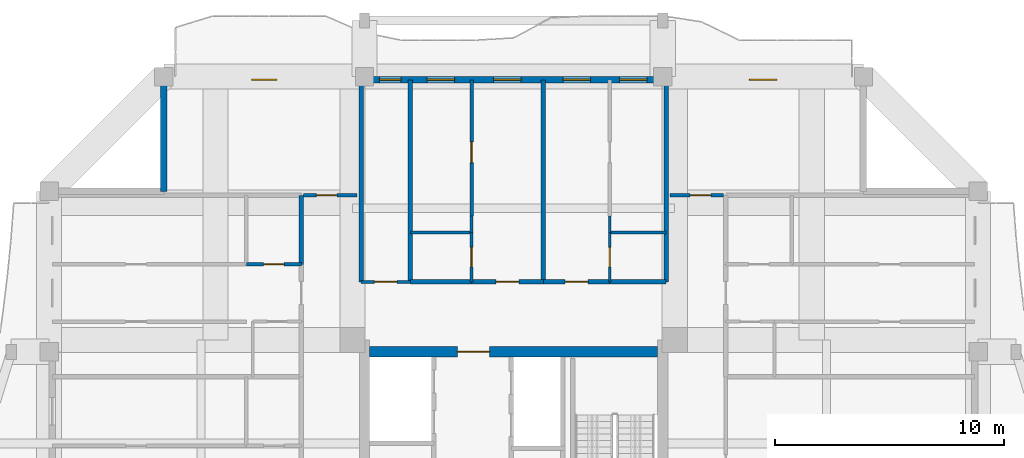
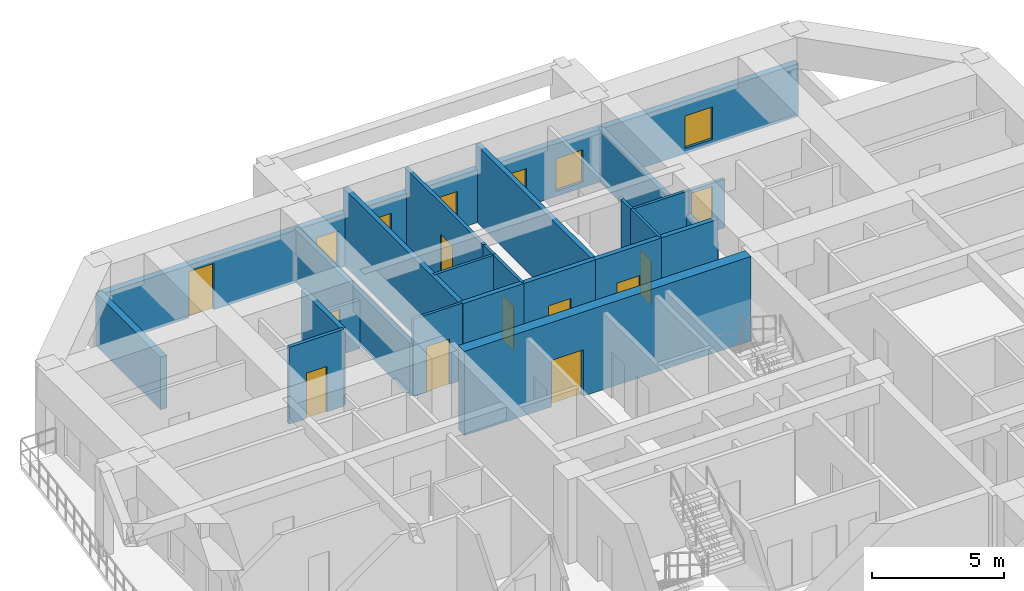
# One storey, part 6 of 13: 23 walls, 11 doors, 6 windows, 17 openings.
"""IFC4 building model written with IfcOpenShell, lengths in metres."""

from ifc_helpers import new_model, si_unit, direction, frame, frame_2d, origin, place, context, subcontext, project, spatial, rectangle, extrude, source, transform, mapped, material, layer, layer_set, type_object, element, fill, save


model = new_model("IFC4")

# Units and contexts
model_context = context("Model", 3, precision=1e-05, world=origin(), true_north=direction((0.0, 1.0)))
body_context = subcontext(model_context, "Body", "Model", "MODEL_VIEW")
ifc_project = project(units=[si_unit("LENGTHUNIT", "METRE"), si_unit("AREAUNIT", "SQUARE_METRE"), si_unit("VOLUMEUNIT", "CUBIC_METRE"), si_unit("PLANEANGLEUNIT", "RADIAN"), si_unit("MASSUNIT", "GRAM", prefix="KILO")], contexts=[model_context])

# Site, building, storey
site_placement = place(None, origin())
site = spatial("IfcSite", under=ifc_project, at=site_placement, CompositionType="ELEMENT")
building_placement = place(site_placement, origin())
building = spatial("IfcBuilding", under=site, at=building_placement, Name="Saelheon Loggia Tower", CompositionType="ELEMENT")
storey_placement = place(building_placement, frame((0.0, 0.0, 192.699951171875)))
storey = spatial("IfcBuildingStorey", under=building, at=storey_placement, Name="L60", CompositionType="ELEMENT", Elevation=192.699951171875)

# Wall, opening, door
ifc_material_1 = material(Name="Concrete C45/55", Category="concrete")
ifc_layer_1 = layer(ifc_material_1, 0.449951171875)
ifc_layer_set_1 = layer_set([ifc_layer_1], Name="Concrete C45/55")
wall_type_1 = type_object("IfcWallType", Name="Wall_CoreShear_450", PredefinedType="SHEAR", material=ifc_layer_set_1)
wall_1_placement = place(storey_placement, frame((31.72509765625, 36.0, 0.0), z_axis=(0.0, 0.0, 1.0), x_axis=(1.0, 0.0, 0.0)))
wall_1 = element("IfcWall", 1, at=wall_1_placement, inside=storey, type_object=wall_type_1, Name="L60 Core Shear Wall North", PredefinedType="SHEAR", context=body_context, shape_type="SweptSolid", body=[
    extrude(rectangle(XDim=12.5498046875, YDim=0.449951171875, at=frame_2d((6.27490234375, 0.0))), origin(), (0.0, 0.0, 1.0), 3.900146484375),
])
opening_1_placement = place(wall_1_placement, frame((5.224853515625, 0.0, 0.0), z_axis=(0.0, 0.0, 1.0), x_axis=(-1.0, 0.0, 0.0)))
opening_1 = element("IfcOpeningElement", 2, at=opening_1_placement, cuts=wall_1, Name="Opening D-FD2L", PredefinedType="OPENING", context=body_context, shape_type="SweptSolid", body=[
    extrude(rectangle(XDim=1.39990234375, YDim=2.14990234375, at=frame_2d((0.699951171875, 1.074951171875))), frame((0.0, 0.237060546875, 0.0), z_axis=(0.0, -1.0, 0.0), x_axis=(1.0, 0.0, 0.0)), (0.0, 0.0, 1.0), 0.473876953125),
])
ifc_material_2 = material(Name="Galvanised Steel Glazed Lobby Fire Door", Category="steel")
door_type_1 = type_object("IfcDoorType", Name="Door_Fire_FD60_1400", OperationType="NOTDEFINED", PredefinedType="DOOR", material=ifc_material_2)
shared_shape_1 = source(origin(), body_context, "Body", "SweptSolid", [
    extrude(rectangle(XDim=1.39990234375, YDim=2.14990234375, at=frame_2d((0.699951171875, 1.074951171875))), frame((0.0, 0.02490234375, 0.0), z_axis=(0.0, -1.0, 0.0), x_axis=(1.0, 0.0, 0.0)), (0.0, 0.0, 1.0), 0.050048828125),
])
door_1_placement = place(opening_1_placement, origin())
door_1 = element("IfcDoor", 3, at=door_1_placement, inside=storey, type_object=door_type_1, Name="L60 Passenger Lift Lobby Main Door", OperationType="SINGLE_SWING_RIGHT", OverallHeight=2.14990234375, OverallWidth=1.39990234375, PredefinedType="DOOR", context=body_context, shape_type="MappedRepresentation", body=[
    mapped(shared_shape_1, transform((0.0, 0.0, 0.0), scale=1.0)),
])
fill(opening_1, door_1)

# Wall, openings, windows, door
ifc_material_3 = material(Name="Architectural Precast Concrete C40/50", Category="concrete")
ifc_layer_2 = layer(ifc_material_3, 0.280029296875)
ifc_layer_set_2 = layer_set([ifc_layer_2], Name="Architectural Precast Concrete C40/50")
wall_type_2 = type_object("IfcWallType", Name="Wall_Ext_Loggia_280", PredefinedType="SOLIDWALL", material=ifc_layer_set_2)
wall_2_placement = place(storey_placement, frame((22.75, 47.860107421875, 0.0), z_axis=(0.0, 0.0, 1.0), x_axis=(1.0, 0.0, 0.0)))
wall_2 = element("IfcWall", 4, at=wall_2_placement, inside=storey, type_object=wall_type_2, Name="L60 North Loggia Inner Wall", PredefinedType="SOLIDWALL", context=body_context, shape_type="SweptSolid", body=[
    extrude(rectangle(XDim=30.5, YDim=0.280029296875, at=frame_2d((15.25, 0.0))), origin(), (0.0, 0.0, 1.0), 2.43994140625),
])
opening_2_placement = place(wall_2_placement, frame((3.824951171875, 0.0, 0.0)))
opening_2 = element("IfcOpeningElement", 5, at=opening_2_placement, cuts=wall_2, Name="Opening TD1", PredefinedType="OPENING", context=body_context, shape_type="SweptSolid", body=[
    extrude(rectangle(XDim=1.10009765625, YDim=2.14990234375, at=frame_2d((0.550048828125, 1.074951171875))), frame((0.0, 0.152099609375, 0.0), z_axis=(0.0, -1.0, 0.0), x_axis=(1.0, 0.0, 0.0)), (0.0, 0.0, 1.0), 0.303955078125),
])
opening_3_placement = place(wall_2_placement, frame((9.39501953125, 0.0, 0.25)))
opening_3 = element("IfcOpeningElement", 6, at=opening_3_placement, cuts=wall_2, Name="Opening WN-04", PredefinedType="OPENING", context=body_context, shape_type="SweptSolid", body=[
    extrude(rectangle(XDim=0.949951171875, YDim=1.5, at=frame_2d((0.47509765625, 0.75))), frame((0.0, 0.152099609375, 0.0), z_axis=(0.0, -1.0, 0.0), x_axis=(1.0, 0.0, 0.0)), (0.0, 0.0, 1.0), 0.303955078125),
])
opening_4_placement = place(wall_2_placement, frame((11.4833984375, 0.0, 0.25)))
opening_4 = element("IfcOpeningElement", 7, at=opening_4_placement, cuts=wall_2, Name="Opening WN-03", PredefinedType="OPENING", context=body_context, shape_type="SweptSolid", body=[
    extrude(rectangle(XDim=1.199951171875, YDim=1.5, at=frame_2d((0.60009765625, 0.75))), frame((0.0, 0.152099609375, 0.0), z_axis=(0.0, -1.0, 0.0), x_axis=(1.0, 0.0, 0.0)), (0.0, 0.0, 1.0), 0.303955078125),
])
opening_5_placement = place(wall_2_placement, frame((14.382568359375, 0.0, 0.25)))
opening_5 = element("IfcOpeningElement", 8, at=opening_5_placement, cuts=wall_2, Name="Opening WN-03", PredefinedType="OPENING", context=body_context, shape_type="SweptSolid", body=[
    extrude(rectangle(XDim=1.199951171875, YDim=1.5, at=frame_2d((0.60009765625, 0.75))), frame((0.0, 0.152099609375, 0.0), z_axis=(0.0, -1.0, 0.0), x_axis=(1.0, 0.0, 0.0)), (0.0, 0.0, 1.0), 0.303955078125),
])
opening_6_placement = place(wall_2_placement, frame((17.39306640625, 0.0, 0.25)))
opening_6 = element("IfcOpeningElement", 9, at=opening_6_placement, cuts=wall_2, Name="Opening WN-03", PredefinedType="OPENING", context=body_context, shape_type="SweptSolid", body=[
    extrude(rectangle(XDim=1.199951171875, YDim=1.5, at=frame_2d((0.60009765625, 0.75))), frame((0.0, 0.152099609375, 0.0), z_axis=(0.0, -1.0, 0.0), x_axis=(1.0, 0.0, 0.0)), (0.0, 0.0, 1.0), 0.303955078125),
])
opening_7_placement = place(wall_2_placement, frame((19.8740234375, 0.0, 0.25)))
opening_7 = element("IfcOpeningElement", 10, at=opening_7_placement, cuts=wall_2, Name="Opening WN-03", PredefinedType="OPENING", context=body_context, shape_type="SweptSolid", body=[
    extrude(rectangle(XDim=1.199951171875, YDim=1.5, at=frame_2d((0.60009765625, 0.75))), frame((0.0, 0.152099609375, 0.0), z_axis=(0.0, -1.0, 0.0), x_axis=(1.0, 0.0, 0.0)), (0.0, 0.0, 1.0), 0.303955078125),
])
opening_8_placement = place(wall_2_placement, frame((25.52490234375, 0.0, 0.25)))
opening_8 = element("IfcOpeningElement", 11, at=opening_8_placement, cuts=wall_2, Name="Opening WN-03", PredefinedType="OPENING", context=body_context, shape_type="SweptSolid", body=[
    extrude(rectangle(XDim=1.199951171875, YDim=1.5, at=frame_2d((0.60009765625, 0.75))), frame((0.0, 0.152099609375, 0.0), z_axis=(0.0, -1.0, 0.0), x_axis=(1.0, 0.0, 0.0)), (0.0, 0.0, 1.0), 0.303955078125),
])
ifc_material_4 = material(Name="Thermal-Break Aluminium and Triple Low-E Glass", Category="aluminium")
window_type_1 = type_object("IfcWindowType", Name="Win_Bedroom_1200x1500", PartitioningType="SINGLE_PANEL", PredefinedType="WINDOW", material=ifc_material_4)
shared_shape_2 = source(origin(), body_context, "Body", "SweptSolid", [
    extrude(rectangle(XDim=1.199951171875, YDim=1.5, at=frame_2d((0.60009765625, 0.75))), frame((0.0, 0.030029296875, 0.0), z_axis=(0.0, -1.0, 0.0), x_axis=(1.0, 0.0, 0.0)), (0.0, 0.0, 1.0), 0.06005859375),
])
window_1_placement = place(opening_4_placement, origin())
window_1 = element("IfcWindow", 12, at=window_1_placement, inside=storey, type_object=window_type_1, Name="L60 N Dwelling Window 3", OverallHeight=1.5, OverallWidth=1.199951171875, PartitioningType="SINGLE_PANEL", PredefinedType="WINDOW", context=body_context, shape_type="MappedRepresentation", body=[
    mapped(shared_shape_2, transform((0.0, 0.0, 0.0), scale=1.0)),
])
fill(opening_4, window_1)
window_2_placement = place(opening_5_placement, origin())
window_2 = element("IfcWindow", 13, at=window_2_placement, inside=storey, type_object=window_type_1, Name="L60 N Dwelling Window 4", OverallHeight=1.5, OverallWidth=1.199951171875, PartitioningType="SINGLE_PANEL", PredefinedType="WINDOW", context=body_context, shape_type="MappedRepresentation", body=[
    mapped(shared_shape_2, transform((0.0, 0.0, 0.0), scale=1.0)),
])
fill(opening_5, window_2)
window_3_placement = place(opening_6_placement, origin())
window_3 = element("IfcWindow", 14, at=window_3_placement, inside=storey, type_object=window_type_1, Name="L60 N Dwelling Window 5", OverallHeight=1.5, OverallWidth=1.199951171875, PartitioningType="SINGLE_PANEL", PredefinedType="WINDOW", context=body_context, shape_type="MappedRepresentation", body=[
    mapped(shared_shape_2, transform((0.0, 0.0, 0.0), scale=1.0)),
])
fill(opening_6, window_3)
window_4_placement = place(opening_7_placement, origin())
window_4 = element("IfcWindow", 15, at=window_4_placement, inside=storey, type_object=window_type_1, Name="L60 N Dwelling Window 6", OverallHeight=1.5, OverallWidth=1.199951171875, PartitioningType="SINGLE_PANEL", PredefinedType="WINDOW", context=body_context, shape_type="MappedRepresentation", body=[
    mapped(shared_shape_2, transform((0.0, 0.0, 0.0), scale=1.0)),
])
fill(opening_7, window_4)
window_5_placement = place(opening_8_placement, origin())
window_5 = element("IfcWindow", 16, at=window_5_placement, inside=storey, type_object=window_type_1, Name="L60 N Dwelling Window 7", OverallHeight=1.5, OverallWidth=1.199951171875, PartitioningType="SINGLE_PANEL", PredefinedType="WINDOW", context=body_context, shape_type="MappedRepresentation", body=[
    mapped(shared_shape_2, transform((0.0, 0.0, 0.0), scale=1.0)),
])
fill(opening_8, window_5)
ifc_material_5 = material(Name="Thermal-Break Aluminium Glazed Door", Category="aluminium")
door_type_2 = type_object("IfcDoorType", Name="Door_Terrace_TD1", OperationType="NOTDEFINED", PredefinedType="DOOR", material=ifc_material_5)
shared_shape_3 = source(origin(), body_context, "Body", "SweptSolid", [
    extrude(rectangle(XDim=1.10009765625, YDim=2.14990234375, at=frame_2d((0.550048828125, 1.074951171875))), frame((0.0, 0.02490234375, 0.0), z_axis=(0.0, -1.0, 0.0), x_axis=(1.0, 0.0, 0.0)), (0.0, 0.0, 1.0), 0.050048828125),
])
door_2_placement = place(opening_2_placement, origin())
door_2 = element("IfcDoor", 17, at=door_2_placement, inside=storey, type_object=door_type_2, Name="L60 N Loggia Access Door", OperationType="SINGLE_SWING_LEFT", OverallHeight=2.14990234375, OverallWidth=1.10009765625, PredefinedType="DOOR", context=body_context, shape_type="MappedRepresentation", body=[
    mapped(shared_shape_3, transform((0.0, 0.0, 0.0), scale=1.0)),
])
fill(opening_2, door_2)
window_type_2 = type_object("IfcWindowType", Name="Win_Narrow_950x1500", PartitioningType="SINGLE_PANEL", PredefinedType="WINDOW", material=ifc_material_4)
shared_shape_4 = source(origin(), body_context, "Body", "SweptSolid", [
    extrude(rectangle(XDim=0.949951171875, YDim=1.5, at=frame_2d((0.47509765625, 0.75))), frame((0.0, 0.030029296875, 0.0), z_axis=(0.0, -1.0, 0.0), x_axis=(1.0, 0.0, 0.0)), (0.0, 0.0, 1.0), 0.06005859375),
])
window_6_placement = place(opening_3_placement, origin())
window_6 = element("IfcWindow", 18, at=window_6_placement, inside=storey, type_object=window_type_2, Name="L60 N Dwelling Window 2", OverallHeight=1.5, OverallWidth=0.949951171875, PartitioningType="SINGLE_PANEL", PredefinedType="WINDOW", context=body_context, shape_type="MappedRepresentation", body=[
    mapped(shared_shape_4, transform((0.0, 0.0, 0.0), scale=1.0)),
])
fill(opening_3, window_6)

# Wall
wall_3_placement = place(storey_placement, frame((22.75, 43.0, 0.0), z_axis=(0.0, 0.0, 1.0), x_axis=(0.0, 1.0, 0.0)))
element("IfcWall", 19, at=wall_3_placement, inside=storey, type_object=wall_type_2, Name="L60 Corner Notch Precast Wall NW1", PredefinedType="SOLIDWALL", context=body_context, shape_type="SweptSolid", body=[
    extrude(rectangle(XDim=4.919921875, YDim=0.280029296875, at=frame_2d((2.4599609375, 0.0))), origin(), (0.0, 0.0, 1.0), 2.43994140625),
])

# Wall, opening, door
ifc_material_6 = material(Name="Lightweight Autoclaved Aerated Concrete Block and Acoustic Gypsum", Category="concrete")
ifc_layer_3 = layer(ifc_material_6, 0.14990234375)
ifc_layer_set_3 = layer_set([ifc_layer_3], Name="Lightweight Autoclaved Aerated Concrete Block and Acoustic Gypsum")
wall_type_3 = type_object("IfcWallType", Name="Wall_Part_150", PredefinedType="PARTITIONING", material=ifc_layer_set_3)
wall_4_placement = place(storey_placement, frame((28.85009765625, 42.820068359375, 0.0), z_axis=(0.0, 0.0, 1.0), x_axis=(1.0, 0.0, 0.0)))
wall_4 = element("IfcWall", 20, at=wall_4_placement, inside=storey, type_object=wall_type_3, Name="PW-L60-CNW-H", PredefinedType="PARTITIONING", context=body_context, shape_type="SweptSolid", body=[
    extrude(rectangle(XDim=2.329833984375, YDim=0.14990234375, at=frame_2d((1.1650390625, 0.0))), origin(), (0.0, 0.0, 1.0), 2.239990234375),
])
opening_9_placement = place(wall_4_placement, frame((0.550048828125, 0.0, 0.0)))
opening_9 = element("IfcOpeningElement", 21, at=opening_9_placement, cuts=wall_4, Name="Opening D-IN2", PredefinedType="OPENING", context=body_context, shape_type="SweptSolid", body=[
    extrude(rectangle(XDim=0.89990234375, YDim=2.10009765625, at=frame_2d((0.449951171875, 1.050048828125))), frame((0.0, 0.0869140625, 0.0), z_axis=(0.0, -1.0, 0.0), x_axis=(1.0, 0.0, 0.0)), (0.0, 0.0, 1.0), 0.173828125),
])
ifc_material_7 = material(Name="Engineered Oak Flush Door", Category="timber")
door_type_3 = type_object("IfcDoorType", Name="Door_Int_900", OperationType="NOTDEFINED", PredefinedType="DOOR", material=ifc_material_7)
shared_shape_5 = source(origin(), body_context, "Body", "SweptSolid", [
    extrude(rectangle(XDim=0.89990234375, YDim=2.10009765625, at=frame_2d((0.449951171875, 1.050048828125))), frame((0.0, 0.02490234375, 0.0), z_axis=(0.0, -1.0, 0.0), x_axis=(1.0, 0.0, 0.0)), (0.0, 0.0, 1.0), 0.050048828125),
])
door_3_placement = place(opening_9_placement, origin())
door_3 = element("IfcDoor", 22, at=door_3_placement, inside=storey, type_object=door_type_3, Name="L60 Corner Home Office NW Door", OperationType="SINGLE_SWING_RIGHT", OverallHeight=2.10009765625, OverallWidth=0.89990234375, PredefinedType="DOOR", context=body_context, shape_type="MappedRepresentation", body=[
    mapped(shared_shape_5, transform((0.0, 0.0, 0.0), scale=1.0)),
])
fill(opening_9, door_3)

wall_5_placement = place(storey_placement, frame((44.820068359375, 42.820068359375, 0.0), z_axis=(0.0, 0.0, 1.0), x_axis=(1.0, 0.0, 0.0)))
wall_5 = element("IfcWall", 23, at=wall_5_placement, inside=storey, type_object=wall_type_3, Name="PW-L60-CNE-H", PredefinedType="PARTITIONING", context=body_context, shape_type="SweptSolid", body=[
    extrude(rectangle(XDim=2.329833984375, YDim=0.14990234375, at=frame_2d((1.1650390625, 0.0))), origin(), (0.0, 0.0, 1.0), 2.239990234375),
])
opening_10_placement = place(wall_5_placement, frame((0.8798828125, 0.0, 0.0)))
opening_10 = element("IfcOpeningElement", 24, at=opening_10_placement, cuts=wall_5, Name="Opening D-IN2", PredefinedType="OPENING", context=body_context, shape_type="SweptSolid", body=[
    extrude(rectangle(XDim=0.89990234375, YDim=2.10009765625, at=frame_2d((0.449951171875, 1.050048828125))), frame((0.0, 0.0869140625, 0.0), z_axis=(0.0, -1.0, 0.0), x_axis=(1.0, 0.0, 0.0)), (0.0, 0.0, 1.0), 0.173828125),
])
door_4_placement = place(opening_10_placement, origin())
door_4 = element("IfcDoor", 25, at=door_4_placement, inside=storey, type_object=door_type_3, Name="L60 Corner Reading Room NE Door", OperationType="SINGLE_SWING_RIGHT", OverallHeight=2.10009765625, OverallWidth=0.89990234375, PredefinedType="DOOR", context=body_context, shape_type="MappedRepresentation", body=[
    mapped(shared_shape_5, transform((0.0, 0.0, 0.0), scale=1.0)),
])
fill(opening_10, door_4)

wall_6_placement = place(storey_placement, frame((36.1669921875, 41.929931640625, 0.0), z_axis=(0.0, 0.0, 1.0), x_axis=(0.0, 1.0, 0.0)))
wall_6 = element("IfcWall", 26, at=wall_6_placement, inside=storey, type_object=wall_type_3, Name="L60 N Partition U10", PredefinedType="PARTITIONING", context=body_context, shape_type="SweptSolid", body=[
    extrude(rectangle(XDim=5.920166015625, YDim=0.14990234375, at=frame_2d((2.9599609375, 0.0))), origin(), (0.0, 0.0, 1.0), 3.56005859375),
])
opening_11_placement = place(wall_6_placement, frame((2.32080078125, 0.0, 0.0)))
opening_11 = element("IfcOpeningElement", 27, at=opening_11_placement, cuts=wall_6, Name="Opening D-IN2", PredefinedType="OPENING", context=body_context, shape_type="SweptSolid", body=[
    extrude(rectangle(XDim=0.89990234375, YDim=2.10009765625, at=frame_2d((0.449951171875, 1.050048828125))), frame((0.0, 0.0869140625, 0.0), z_axis=(0.0, -1.0, 0.0), x_axis=(1.0, 0.0, 0.0)), (0.0, 0.0, 1.0), 0.173828125),
])
door_5_placement = place(opening_11_placement, origin())
door_5 = element("IfcDoor", 28, at=door_5_placement, inside=storey, type_object=door_type_3, Name="Unit U02 Kitchen Door", OperationType="SINGLE_SWING_RIGHT", OverallHeight=2.10009765625, OverallWidth=0.89990234375, PredefinedType="DOOR", context=body_context, shape_type="MappedRepresentation", body=[
    mapped(shared_shape_5, transform((0.0, 0.0, 0.0), scale=1.0)),
])
fill(opening_11, door_5)

wall_7_placement = place(storey_placement, frame((28.75, 39.814208984375, 0.0), z_axis=(0.0, 0.0, 1.0), x_axis=(-1.0, 0.0, 0.0)))
wall_7 = element("IfcWall", 29, at=wall_7_placement, inside=storey, type_object=wall_type_3, Name="L60 W Partition U40", PredefinedType="PARTITIONING", context=body_context, shape_type="SweptSolid", body=[
    extrude(rectangle(XDim=2.39990234375, YDim=0.14990234375, at=frame_2d((1.199951171875, 0.0))), origin(), (0.0, 0.0, 1.0), 3.56005859375),
])
opening_12_placement = place(wall_7_placement, frame((0.75, 0.0, 0.0)))
opening_12 = element("IfcOpeningElement", 30, at=opening_12_placement, cuts=wall_7, Name="Opening D-IN2", PredefinedType="OPENING", context=body_context, shape_type="SweptSolid", body=[
    extrude(rectangle(XDim=0.89990234375, YDim=2.10009765625, at=frame_2d((0.449951171875, 1.050048828125))), frame((0.0, 0.0869140625, 0.0), z_axis=(0.0, -1.0, 0.0), x_axis=(1.0, 0.0, 0.0)), (0.0, 0.0, 1.0), 0.173828125),
])
door_6_placement = place(opening_12_placement, origin())
door_6 = element("IfcDoor", 31, at=door_6_placement, inside=storey, type_object=door_type_3, Name="Unit U07 Dressing Closet Door", OperationType="SINGLE_SWING_RIGHT", OverallHeight=2.10009765625, OverallWidth=0.89990234375, PredefinedType="DOOR", context=body_context, shape_type="MappedRepresentation", body=[
    mapped(shared_shape_5, transform((0.0, 0.0, 0.0), scale=1.0)),
])
fill(opening_12, door_6)

# Walls
ifc_material_8 = material(Name="Double Acoustic Stud and Fireboard Partition", Category="gypsum")
ifc_layer_4 = layer(ifc_material_8, 0.199951171875)
ifc_layer_set_4 = layer_set([ifc_layer_4], Name="Double Acoustic Stud and Fireboard Partition")
wall_type_4 = type_object("IfcWallType", Name="Wall_Party_200", PredefinedType="PARTITIONING", material=ifc_layer_set_4)
for number, where, z_axis, x_axis, name in (
    (32, (31.35009765625, 39.050048828125, 0.0), (0.0, 0.0, 1.0), (0.0, 1.0, 0.0), "L60 N Partition U01"),
    (33, (44.64990234375, 39.050048828125, 0.0), (0.0, 0.0, 1.0), (0.0, 1.0, 0.0), "L60 N Partition U02"),
):
    element("IfcWall", number, at=place(storey_placement, frame(where, z_axis=z_axis, x_axis=x_axis)), inside=storey, type_object=wall_type_4, Name=name, PredefinedType="PARTITIONING", context=body_context, shape_type="SweptSolid", body=[
        extrude(rectangle(XDim=8.800048828125, YDim=0.199951171875, at=frame_2d((4.39990234375, 0.0))), origin(), (0.0, 0.0, 1.0), 2.43994140625),
    ])
wall_8_placement = place(storey_placement, frame((33.5, 39.050048828125, 0.0), z_axis=(0.0, 0.0, 1.0), x_axis=(0.0, 1.0, 0.0)))
element("IfcWall", 34, at=wall_8_placement, inside=storey, type_object=wall_type_4, Name="L60 N Partition U03", PredefinedType="PARTITIONING", context=body_context, shape_type="SweptSolid", body=[
    extrude(rectangle(XDim=8.800048828125, YDim=0.199951171875, at=frame_2d((4.39990234375, 0.0))), origin(), (0.0, 0.0, 1.0), 3.56005859375),
])
wall_9_placement = place(storey_placement, frame((33.5, 39.050048828125, 0.0), z_axis=(0.0, 0.0, 1.0), x_axis=(1.0, 0.0, 0.0)))
element("IfcWall", 35, at=wall_9_placement, inside=storey, type_object=wall_type_4, Name="L60 N Partition V05", PredefinedType="PARTITIONING", context=body_context, shape_type="SweptSolid", body=[
    extrude(rectangle(XDim=2.6669921875, YDim=0.199951171875, at=frame_2d((1.33349609375, 0.0))), origin(), (0.0, 0.0, 1.0), 3.56005859375),
])

# Wall, opening, door
wall_10_placement = place(storey_placement, frame((36.1669921875, 39.050048828125, 0.0), z_axis=(0.0, 0.0, 1.0), x_axis=(1.0, 0.0, 0.0)))
wall_10 = element("IfcWall", 36, at=wall_10_placement, inside=storey, type_object=wall_type_4, Name="L60 N Partition V06", PredefinedType="PARTITIONING", context=body_context, shape_type="SweptSolid", body=[
    extrude(rectangle(XDim=3.131103515625, YDim=0.199951171875, at=frame_2d((1.5654296875, 0.0))), origin(), (0.0, 0.0, 1.0), 3.56005859375),
])
opening_13_placement = place(wall_10_placement, frame((1.0654296875, 0.0, 0.0)))
opening_13 = element("IfcOpeningElement", 37, at=opening_13_placement, cuts=wall_10, Name="Opening D-FD1", PredefinedType="OPENING", context=body_context, shape_type="SweptSolid", body=[
    extrude(rectangle(XDim=1.0, YDim=2.14990234375, at=frame_2d((0.5, 1.074951171875))), frame((0.0, 0.112060546875, 0.0), z_axis=(0.0, -1.0, 0.0), x_axis=(1.0, 0.0, 0.0)), (0.0, 0.0, 1.0), 0.223876953125),
])
ifc_material_9 = material(Name="Fire-Rated Engineered Timber Entrance Door", Category="wood")
door_type_4 = type_object("IfcDoorType", Name="Door_Flat_FD30S", OperationType="NOTDEFINED", PredefinedType="DOOR", material=ifc_material_9)
shared_shape_6 = source(origin(), body_context, "Body", "SweptSolid", [
    extrude(rectangle(XDim=1.0, YDim=2.14990234375, at=frame_2d((0.5, 1.074951171875))), frame((0.0, 0.02490234375, 0.0), z_axis=(0.0, -1.0, 0.0), x_axis=(1.0, 0.0, 0.0)), (0.0, 0.0, 1.0), 0.050048828125),
])
door_7_placement = place(opening_13_placement, origin())
door_7 = element("IfcDoor", 38, at=door_7_placement, inside=storey, type_object=door_type_4, Name="Unit U02 Entrance Door", OperationType="SINGLE_SWING_RIGHT", OverallHeight=2.14990234375, OverallWidth=1.0, PredefinedType="DOOR", context=body_context, shape_type="MappedRepresentation", body=[
    mapped(shared_shape_6, transform((0.0, 0.0, 0.0), scale=1.0)),
])
fill(opening_13, door_7)

# Wall
wall_11_placement = place(storey_placement, frame((39.298095703125, 39.050048828125, 0.0), z_axis=(0.0, 0.0, 1.0), x_axis=(0.0, 1.0, 0.0)))
element("IfcWall", 39, at=wall_11_placement, inside=storey, type_object=wall_type_4, Name="L60 N Partition U11", PredefinedType="PARTITIONING", context=body_context, shape_type="SweptSolid", body=[
    extrude(rectangle(XDim=8.800048828125, YDim=0.199951171875, at=frame_2d((4.39990234375, 0.0))), origin(), (0.0, 0.0, 1.0), 3.56005859375),
])

# Wall, opening, door
wall_12_placement = place(storey_placement, frame((39.298095703125, 39.050048828125, 0.0), z_axis=(0.0, 0.0, 1.0), x_axis=(1.0, 0.0, 0.0)))
wall_12 = element("IfcWall", 40, at=wall_12_placement, inside=storey, type_object=wall_type_4, Name="L60 N Partition V12", PredefinedType="PARTITIONING", context=body_context, shape_type="SweptSolid", body=[
    extrude(rectangle(XDim=2.889892578125, YDim=0.199951171875, at=frame_2d((1.44482421875, 0.0))), origin(), (0.0, 0.0, 1.0), 3.56005859375),
])
opening_14_placement = place(wall_12_placement, frame((0.945068359375, 0.0, 0.0)))
opening_14 = element("IfcOpeningElement", 41, at=opening_14_placement, cuts=wall_12, Name="Opening D-FD1", PredefinedType="OPENING", context=body_context, shape_type="SweptSolid", body=[
    extrude(rectangle(XDim=1.0, YDim=2.14990234375, at=frame_2d((0.5, 1.074951171875))), frame((0.0, 0.112060546875, 0.0), z_axis=(0.0, -1.0, 0.0), x_axis=(1.0, 0.0, 0.0)), (0.0, 0.0, 1.0), 0.223876953125),
])
door_8_placement = place(opening_14_placement, origin())
door_8 = element("IfcDoor", 42, at=door_8_placement, inside=storey, type_object=door_type_4, Name="Unit U03 Entrance Door", OperationType="SINGLE_SWING_LEFT", OverallHeight=2.14990234375, OverallWidth=1.0, PredefinedType="DOOR", context=body_context, shape_type="MappedRepresentation", body=[
    mapped(shared_shape_6, transform((0.0, 0.0, 0.0), scale=1.0)),
])
fill(opening_14, door_8)

# Walls
wall_13_placement = place(storey_placement, frame((42.18798828125, 39.050048828125, 0.0), z_axis=(0.0, 0.0, 1.0), x_axis=(1.0, 0.0, 0.0)))
element("IfcWall", 43, at=wall_13_placement, inside=storey, type_object=wall_type_4, Name="L60 N Partition V13", PredefinedType="PARTITIONING", context=body_context, shape_type="SweptSolid", body=[
    extrude(rectangle(XDim=2.4619140625, YDim=0.199951171875, at=frame_2d((1.23095703125, 0.0))), origin(), (0.0, 0.0, 1.0), 3.56005859375),
])
wall_14_placement = place(storey_placement, frame((28.75, 39.814208984375, 0.0), z_axis=(0.0, 0.0, 1.0), x_axis=(0.0, 1.0, 0.0)))
element("IfcWall", 44, at=wall_14_placement, inside=storey, type_object=wall_type_4, Name="L60 W Partition V35", PredefinedType="PARTITIONING", context=body_context, shape_type="SweptSolid", body=[
    extrude(rectangle(XDim=3.005859375, YDim=0.199951171875, at=frame_2d((1.5029296875, 0.0))), origin(), (0.0, 0.0, 1.0), 3.56005859375),
])

# Wall, opening, door
ifc_material_10 = material(Name="Moisture-Resistant Cement Board Partition", Category="gypsum")
ifc_layer_5 = layer(ifc_material_10, 0.1201171875)
ifc_layer_set_5 = layer_set([ifc_layer_5], Name="Moisture-Resistant Cement Board Partition")
wall_type_5 = type_object("IfcWallType", Name="Wall_WetPart_120", PredefinedType="PARTITIONING", material=ifc_layer_set_5)
wall_15_placement = place(storey_placement, frame((31.35009765625, 39.050048828125, 0.0), z_axis=(0.0, 0.0, 1.0), x_axis=(1.0, 0.0, 0.0)))
wall_15 = element("IfcWall", 45, at=wall_15_placement, inside=storey, type_object=wall_type_5, Name="L60 N Partition V04", PredefinedType="PARTITIONING", context=body_context, shape_type="SweptSolid", body=[
    extrude(rectangle(XDim=2.14990234375, YDim=0.1201171875, at=frame_2d((1.074951171875, 0.0))), origin(), (0.0, 0.0, 1.0), 3.56005859375),
])
opening_15_placement = place(wall_15_placement, frame((0.574951171875, 0.0, 0.0)))
opening_15 = element("IfcOpeningElement", 46, at=opening_15_placement, cuts=wall_15, Name="Opening D-AC1", PredefinedType="OPENING", context=body_context, shape_type="SweptSolid", body=[
    extrude(rectangle(XDim=1.0, YDim=2.10009765625, at=frame_2d((0.5, 1.050048828125))), frame((0.0, 0.072021484375, 0.0), z_axis=(0.0, -1.0, 0.0), x_axis=(1.0, 0.0, 0.0)), (0.0, 0.0, 1.0), 0.14404296875),
])
ifc_material_11 = material(Name="Accessible Laminate Flush Door", Category="timber")
door_type_5 = type_object("IfcDoorType", Name="Door_Acc_1000", OperationType="NOTDEFINED", PredefinedType="DOOR", material=ifc_material_11)
shared_shape_7 = source(origin(), body_context, "Body", "SweptSolid", [
    extrude(rectangle(XDim=1.0, YDim=2.10009765625, at=frame_2d((0.5, 1.050048828125))), frame((0.0, 0.02490234375, 0.0), z_axis=(0.0, -1.0, 0.0), x_axis=(1.0, 0.0, 0.0)), (0.0, 0.0, 1.0), 0.050048828125),
])
door_9_placement = place(opening_15_placement, origin())
door_9 = element("IfcDoor", 47, at=door_9_placement, inside=storey, type_object=door_type_5, Name="L60 Floor Accessible WC Door", OperationType="SINGLE_SWING_LEFT", OverallHeight=2.10009765625, OverallWidth=1.0, PredefinedType="DOOR", context=body_context, shape_type="MappedRepresentation", body=[
    mapped(shared_shape_7, transform((0.0, 0.0, 0.0), scale=1.0)),
])
fill(opening_15, door_9)

wall_16_placement = place(storey_placement, frame((36.1669921875, 39.050048828125, 0.0), z_axis=(0.0, 0.0, 1.0), x_axis=(0.0, 1.0, 0.0)))
wall_16 = element("IfcWall", 48, at=wall_16_placement, inside=storey, type_object=wall_type_5, Name="L60 N Partition U07", PredefinedType="PARTITIONING", context=body_context, shape_type="SweptSolid", body=[
    extrude(rectangle(XDim=2.14990234375, YDim=0.1201171875, at=frame_2d((1.074951171875, 0.0))), origin(), (0.0, 0.0, 1.0), 3.56005859375),
])
opening_16_placement = place(wall_16_placement, frame((0.64990234375, 0.0, 0.0)))
opening_16 = element("IfcOpeningElement", 49, at=opening_16_placement, cuts=wall_16, Name="Opening D-BT1", PredefinedType="OPENING", context=body_context, shape_type="SweptSolid", body=[
    extrude(rectangle(XDim=0.85009765625, YDim=2.050048828125, at=frame_2d((0.425048828125, 1.02490234375))), frame((0.0, 0.072021484375, 0.0), z_axis=(0.0, -1.0, 0.0), x_axis=(1.0, 0.0, 0.0)), (0.0, 0.0, 1.0), 0.14404296875),
])
ifc_material_12 = material(Name="Moisture-Resistant Laminate Timber Door", Category="wood")
door_type_6 = type_object("IfcDoorType", Name="Door_Bath_850", OperationType="NOTDEFINED", PredefinedType="DOOR", material=ifc_material_12)
shared_shape_8 = source(origin(), body_context, "Body", "SweptSolid", [
    extrude(rectangle(XDim=0.85009765625, YDim=2.050048828125, at=frame_2d((0.425048828125, 1.02490234375))), frame((0.0, 0.02490234375, 0.0), z_axis=(0.0, -1.0, 0.0), x_axis=(1.0, 0.0, 0.0)), (0.0, 0.0, 1.0), 0.050048828125),
])
door_10_placement = place(opening_16_placement, origin())
door_10 = element("IfcDoor", 50, at=door_10_placement, inside=storey, type_object=door_type_6, Name="Unit U02 Bathroom Door", OperationType="SINGLE_SWING_LEFT", OverallHeight=2.050048828125, OverallWidth=0.85009765625, PredefinedType="DOOR", context=body_context, shape_type="MappedRepresentation", body=[
    mapped(shared_shape_8, transform((0.0, 0.0, 0.0), scale=1.0)),
])
fill(opening_16, door_10)

# Walls
wall_17_placement = place(storey_placement, frame((36.1669921875, 41.199951171875, 0.0), z_axis=(0.0, 0.0, 1.0), x_axis=(0.0, 1.0, 0.0)))
element("IfcWall", 51, at=wall_17_placement, inside=storey, type_object=wall_type_5, Name="L60 N Partition U08", PredefinedType="PARTITIONING", context=body_context, shape_type="SweptSolid", body=[
    extrude(rectangle(XDim=0.72998046875, YDim=0.1201171875, at=frame_2d((0.364990234375, 0.0))), origin(), (0.0, 0.0, 1.0), 3.56005859375),
])
wall_18_placement = place(storey_placement, frame((33.5, 41.199951171875, 0.0), z_axis=(0.0, 0.0, 1.0), x_axis=(1.0, 0.0, 0.0)))
element("IfcWall", 52, at=wall_18_placement, inside=storey, type_object=wall_type_5, Name="L60 N Partition V09", PredefinedType="PARTITIONING", context=body_context, shape_type="SweptSolid", body=[
    extrude(rectangle(XDim=2.6669921875, YDim=0.1201171875, at=frame_2d((1.33349609375, 0.0))), origin(), (0.0, 0.0, 1.0), 3.56005859375),
])

# Wall, opening, door
wall_19_placement = place(storey_placement, frame((42.18798828125, 39.050048828125, 0.0), z_axis=(0.0, 0.0, 1.0), x_axis=(0.0, 1.0, 0.0)))
wall_19 = element("IfcWall", 53, at=wall_19_placement, inside=storey, type_object=wall_type_5, Name="L60 N Partition U14", PredefinedType="PARTITIONING", context=body_context, shape_type="SweptSolid", body=[
    extrude(rectangle(XDim=2.14990234375, YDim=0.1201171875, at=frame_2d((1.074951171875, 0.0))), origin(), (0.0, 0.0, 1.0), 3.56005859375),
])
opening_17_placement = place(wall_19_placement, frame((0.64990234375, 0.0, 0.0)))
opening_17 = element("IfcOpeningElement", 54, at=opening_17_placement, cuts=wall_19, Name="Opening D-BT1", PredefinedType="OPENING", context=body_context, shape_type="SweptSolid", body=[
    extrude(rectangle(XDim=0.85009765625, YDim=2.050048828125, at=frame_2d((0.425048828125, 1.02490234375))), frame((0.0, 0.072021484375, 0.0), z_axis=(0.0, -1.0, 0.0), x_axis=(1.0, 0.0, 0.0)), (0.0, 0.0, 1.0), 0.14404296875),
])
door_11_placement = place(opening_17_placement, origin())
door_11 = element("IfcDoor", 55, at=door_11_placement, inside=storey, type_object=door_type_6, Name="Unit U03 Bathroom Door", OperationType="SINGLE_SWING_RIGHT", OverallHeight=2.050048828125, OverallWidth=0.85009765625, PredefinedType="DOOR", context=body_context, shape_type="MappedRepresentation", body=[
    mapped(shared_shape_8, transform((0.0, 0.0, 0.0), scale=1.0)),
])
fill(opening_17, door_11)

# Walls
wall_20_placement = place(storey_placement, frame((42.18798828125, 41.199951171875, 0.0), z_axis=(0.0, 0.0, 1.0), x_axis=(0.0, 1.0, 0.0)))
element("IfcWall", 56, at=wall_20_placement, inside=storey, type_object=wall_type_5, Name="L60 N Partition U15", PredefinedType="PARTITIONING", context=body_context, shape_type="SweptSolid", body=[
    extrude(rectangle(XDim=0.72998046875, YDim=0.1201171875, at=frame_2d((0.364990234375, 0.0))), origin(), (0.0, 0.0, 1.0), 3.56005859375),
])
wall_21_placement = place(storey_placement, frame((42.18798828125, 41.199951171875, 0.0), z_axis=(0.0, 0.0, 1.0), x_axis=(1.0, 0.0, 0.0)))
element("IfcWall", 57, at=wall_21_placement, inside=storey, type_object=wall_type_5, Name="L60 N Partition V16", PredefinedType="PARTITIONING", context=body_context, shape_type="SweptSolid", body=[
    extrude(rectangle(XDim=2.4619140625, YDim=0.1201171875, at=frame_2d((1.23095703125, 0.0))), origin(), (0.0, 0.0, 1.0), 3.56005859375),
])

save(model, "model.ifc")
